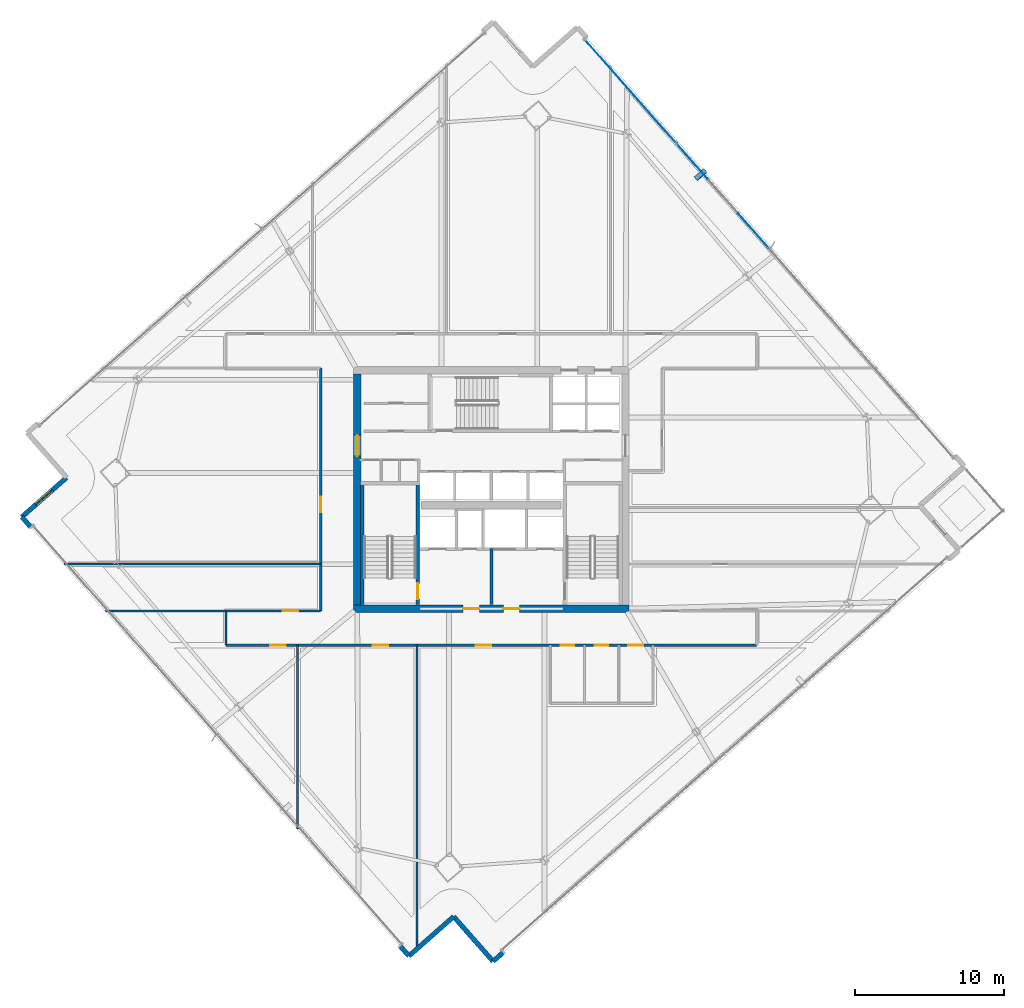
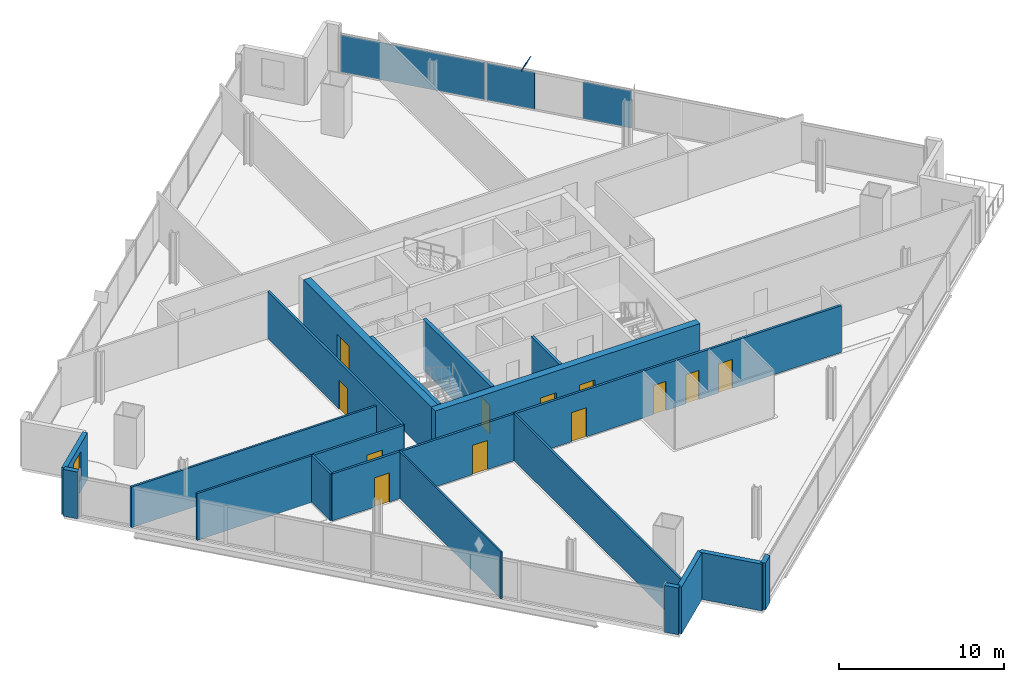
# One storey, part 26 of 34: 19 walls, 12 doors, 4 plates, 1 window, 13 openings, 1 element without a shape of its own.
"""IFC4 building model written with IfcOpenShell, lengths in metres."""

from ifc_helpers import new_model, si_unit, direction, frame, frame_2d, origin, origin_2d, place, context, subcontext, project, spatial, rectangle, extrude, source, transform, mapped, material, layer, layer_set, type_object, element, fill, aggregate, save


model = new_model("IFC4")

# Units and contexts
model_context = context("Model", 3, precision=1e-05, world=origin(), true_north=direction((0.0, 1.0)))
body_context = subcontext(model_context, "Body", "Model", "MODEL_VIEW")
ifc_project = project(units=[si_unit("LENGTHUNIT", "METRE"), si_unit("AREAUNIT", "SQUARE_METRE"), si_unit("VOLUMEUNIT", "CUBIC_METRE"), si_unit("PLANEANGLEUNIT", "RADIAN"), si_unit("MASSUNIT", "GRAM", prefix="KILO")], contexts=[model_context])

# Site, building, storey
site_placement = place(None, origin())
site = spatial("IfcSite", under=ifc_project, at=site_placement, CompositionType="ELEMENT")
building_placement = place(site_placement, origin())
building = spatial("IfcBuilding", under=site, at=building_placement, Name="Haldenkirk Collegiate Tower", CompositionType="ELEMENT")
storey_placement = place(building_placement, frame((0.0, 0.0, 166.949951171875)))
storey = spatial("IfcBuildingStorey", under=building, at=storey_placement, Name="L41", CompositionType="ELEMENT", Elevation=166.949951171875)

# Plate
ifc_material_1 = material(Name="Steel ASTM A572 Grade 50", Category="steel")
ifc_layer_1 = layer(ifc_material_1, 0.034912109375)
ifc_layer_set_1 = layer_set([ifc_layer_1], Name="Steel ASTM A572 Grade 50")
plate_type_1 = type_object("IfcPlateType", Name="PLT-CAP-EXT-760X600", PredefinedType="USERDEFINED", material=ifc_layer_set_1)
shared_shape_1 = source(origin(), body_context, "Body", "SweptSolid", [
    extrude(rectangle(XDim=0.860107421875, YDim=0.659912109375, at=origin_2d()), origin(), (0.0, 0.0, 1.0), 0.034912109375),
])
plate_1_placement = place(storey_placement, frame((50.0498046875, 47.11669921875, 3.448486328125), z_axis=(-0.580432993304, 0.663743992342, 0.471742994558), x_axis=(-0.752769525928, -0.658284164199, -2.33095e-07)))
element("IfcPlate", 1, at=plate_1_placement, inside=storey, type_object=plate_type_1, Name="Perimeter Mega Brace Z3 L39-L41 EL end cap plate 2", ObjectType="END CAP PLATE", PredefinedType="USERDEFINED", context=body_context, shape_type="MappedRepresentation", body=[
    mapped(shared_shape_1, transform((0.0, 0.0, 0.0), x_axis=(1.0, 0.0, 0.0), y_axis=(0.0, 1.0, 0.0), z_axis=(0.0, 0.0, 1.0), scale=1.0)),
])

# Curtain wall, plates
ifc_material_2 = material(Name="Anodised architectural bronze aluminium", Category="aluminium")
curtain_wall_type = type_object("IfcCurtainWallType", Name="CW-SYS1-CONVEX-LOW", PredefinedType="USERDEFINED", material=ifc_material_2)
curtain_wall_placement = place(storey_placement, origin())
curtain_wall = element("IfcCurtainWall", 2, at=curtain_wall_placement, inside=storey, type_object=curtain_wall_type, Name="L41 Lower tower convex bronze-framed unitised curtain wall", ObjectType="UNITISED CURTAIN WALL", PredefinedType="USERDEFINED")
ifc_material_3 = material(Name="Low-E argon triple insulating glass", Category="glass")
ifc_layer_2 = layer(ifc_material_3, 0.0439453125)
ifc_layer_set_2 = layer_set([ifc_layer_2], Name="Low-E argon triple insulating glass")
plate_type_2 = type_object("IfcPlateType", Name="CW-PNL-1A", PredefinedType="CURTAIN_PANEL", material=ifc_layer_set_2)
shared_shape_2 = source(origin(), body_context, "Body", "SweptSolid", [
    extrude(rectangle(XDim=9.248779296875, YDim=0.0439453125, at=origin_2d()), origin(), (0.0, 0.0, 1.0), 2.7509765625),
])
plate_2_placement = place(storey_placement, frame((45.348876953125, 52.700439453125, 0.080078125), z_axis=(0.0, 0.0, 1.0), x_axis=(0.66131127315, -0.750111591701, 0.0)))
plate_2 = element("IfcPlate", 3, at=plate_2_placement, type_object=plate_type_2, Name="CW-1A panel 1.1", PredefinedType="CURTAIN_PANEL", context=body_context, shape_type="MappedRepresentation", body=[
    mapped(shared_shape_2, transform((0.0, 0.0, 0.0), x_axis=(1.0, 0.0, 0.0), y_axis=(0.0, 1.0, 0.0), z_axis=(0.0, 0.0, 1.0), scale=1.0)),
])
ifc_material_4 = material(Name="Bronze-anodised insulated aluminium spandrel panel", Category="aluminium")
ifc_layer_3 = layer(ifc_material_4, 0.0439453125)
ifc_layer_set_3 = layer_set([ifc_layer_3], Name="Bronze-anodised insulated aluminium spandrel panel")
plate_type_3 = type_object("IfcPlateType", Name="CW-SPD-1A", PredefinedType="CURTAIN_PANEL", material=ifc_layer_set_3)
shared_shape_3 = source(origin(), body_context, "Body", "SweptSolid", [
    extrude(rectangle(XDim=3.083740234375, YDim=0.0439453125, at=origin_2d()), origin(), (0.0, 0.0, 1.0), 2.7509765625),
])
plate_3_placement = place(storey_placement, frame((49.479736328125, 48.014892578125, 0.080078125), z_axis=(0.0, 0.0, 1.0), x_axis=(0.66131127315, -0.750111591701, 0.0)))
plate_3 = element("IfcPlate", 4, at=plate_3_placement, type_object=plate_type_3, Name="CW-1A spandrel panel 2.1a", PredefinedType="CURTAIN_PANEL", context=body_context, shape_type="MappedRepresentation", body=[
    mapped(shared_shape_3, transform((0.0, 0.0, 0.0), x_axis=(1.0, 0.0, 0.0), y_axis=(0.0, 1.0, 0.0), z_axis=(0.0, 0.0, 1.0), scale=1.0)),
])
plate_4_placement = place(storey_placement, frame((53.5830078125, 43.360595703125, 0.080078125), z_axis=(0.0, 0.0, 1.0), x_axis=(0.66131127315, -0.750111591701, 0.0)))
plate_4 = element("IfcPlate", 5, at=plate_4_placement, type_object=plate_type_3, Name="CW-1A spandrel panel 2.1c", PredefinedType="CURTAIN_PANEL", context=body_context, shape_type="MappedRepresentation", body=[
    mapped(shared_shape_3, transform((0.0, 0.0, 0.0), x_axis=(1.0, 0.0, 0.0), y_axis=(0.0, 1.0, 0.0), z_axis=(0.0, 0.0, 1.0), scale=1.0)),
])
aggregate(curtain_wall, [plate_2, plate_3, plate_4])

# Wall, openings, doors
ifc_material_5 = material(Name="Concrete f'c 55 MPa", Category="concrete")
ifc_layer_4 = layer(ifc_material_5, 0.5)
ifc_layer_set_4 = layer_set([ifc_layer_4], Name="Concrete f'c 55 MPa")
wall_type_1 = type_object("IfcWallType", Name="WL-CORE-500", PredefinedType="SHEAR", material=ifc_layer_set_4)
wall_1_placement = place(storey_placement, frame((26.75, 18.0, 0.0), z_axis=(0.0, 0.0, 1.0), x_axis=(1.0, 0.0, 0.0)))
wall_1 = element("IfcWall", 6, at=wall_1_placement, inside=storey, type_object=wall_type_1, Name="L41 central core shear wall S", PredefinedType="SHEAR", context=body_context, shape_type="SweptSolid", body=[
    extrude(rectangle(XDim=18.5, YDim=0.5, at=frame_2d((9.25, 0.0))), origin(), (0.0, 0.0, 1.0), 3.75),
])
opening_1_placement = place(wall_1_placement, frame((7.35009765625, 0.0, 0.0)))
opening_1 = element("IfcOpeningElement", 7, at=opening_1_placement, cuts=wall_1, Name="Opening D-02", PredefinedType="OPENING", context=body_context, shape_type="SweptSolid", body=[
    extrude(rectangle(XDim=1.10009765625, YDim=2.14990234375, at=frame_2d((0.550048828125, 1.074951171875))), frame((0.0, 0.260009765625, 0.0), z_axis=(0.0, -1.0, 0.0), x_axis=(1.0, 0.0, 0.0)), (0.0, 0.0, 1.0), 0.52001953125),
])
opening_2_placement = place(wall_1_placement, frame((10.050048828125, 0.0, 0.0)))
opening_2 = element("IfcOpeningElement", 8, at=opening_2_placement, cuts=wall_1, Name="Opening D-02", PredefinedType="OPENING", context=body_context, shape_type="SweptSolid", body=[
    extrude(rectangle(XDim=1.10009765625, YDim=2.14990234375, at=frame_2d((0.550048828125, 1.074951171875))), frame((0.0, 0.260009765625, 0.0), z_axis=(0.0, -1.0, 0.0), x_axis=(1.0, 0.0, 0.0)), (0.0, 0.0, 1.0), 0.52001953125),
])
ifc_material_6 = material(Name="Galvanized fire-rated hollow steel door", Category="steel")
ifc_layer_5 = layer(ifc_material_6, 0.06005859375)
ifc_layer_set_5 = layer_set([ifc_layer_5], Name="Galvanized fire-rated hollow steel door")
door_type_1 = type_object("IfcDoorType", Name="DR-STAIR-FD90-1100", OperationType="NOTDEFINED", PredefinedType="DOOR", material=ifc_layer_set_5)
door_1_placement = place(opening_1_placement, origin())
door_1 = element("IfcDoor", 9, at=door_1_placement, inside=storey, type_object=door_type_1, Name="L41 Firefighting Lobby 1 door", OperationType="SINGLE_SWING_RIGHT", OverallHeight=2.14990234375, OverallWidth=1.10009765625, PredefinedType="DOOR", context=body_context, shape_type="SweptSolid", body=[
    extrude(rectangle(XDim=1.10009765625, YDim=2.14990234375, at=frame_2d((0.550048828125, 1.074951171875))), frame((0.0, 0.02490234375, 0.0), z_axis=(0.0, -1.0, 0.0), x_axis=(1.0, 0.0, 0.0)), (0.0, 0.0, 1.0), 0.050048828125),
])
fill(opening_1, door_1)
door_2_placement = place(opening_2_placement, origin())
door_2 = element("IfcDoor", 10, at=door_2_placement, inside=storey, type_object=door_type_1, Name="L41 Firefighting Lobby 2 door", OperationType="SINGLE_SWING_LEFT", OverallHeight=2.14990234375, OverallWidth=1.10009765625, PredefinedType="DOOR", context=body_context, shape_type="SweptSolid", body=[
    extrude(rectangle(XDim=1.10009765625, YDim=2.14990234375, at=frame_2d((0.550048828125, 1.074951171875))), frame((0.0, 0.02490234375, 0.0), z_axis=(0.0, -1.0, 0.0), x_axis=(1.0, 0.0, 0.0)), (0.0, 0.0, 1.0), 0.050048828125),
])
fill(opening_2, door_2)

# Wall, opening, door
wall_2_placement = place(storey_placement, frame((27.0, 18.25, 0.0), z_axis=(0.0, 0.0, 1.0), x_axis=(0.0, 1.0, 0.0)))
wall_2 = element("IfcWall", 11, at=wall_2_placement, inside=storey, type_object=wall_type_1, Name="L41 central core shear wall W", PredefinedType="SHEAR", context=body_context, shape_type="SweptSolid", body=[
    extrude(rectangle(XDim=15.5, YDim=0.5, at=frame_2d((7.75, 0.0))), origin(), (0.0, 0.0, 1.0), 3.75),
])
opening_3_placement = place(wall_2_placement, frame((9.989990234375, 0.0, 0.0)))
opening_3 = element("IfcOpeningElement", 12, at=opening_3_placement, cuts=wall_2, Name="Opening D-03", PredefinedType="OPENING", context=body_context, shape_type="SweptSolid", body=[
    extrude(rectangle(XDim=1.39990234375, YDim=2.199951171875, at=frame_2d((0.699951171875, 1.10009765625))), frame((0.0, 0.260009765625, 0.0), z_axis=(0.0, -1.0, 0.0), x_axis=(1.0, 0.0, 0.0)), (0.0, 0.0, 1.0), 0.52001953125),
])
ifc_layer_6 = layer(ifc_material_6, 0.06005859375)
ifc_layer_set_6 = layer_set([ifc_layer_6], Name="Galvanized fire-rated hollow steel door")
door_type_2 = type_object("IfcDoorType", Name="DR-LOBBY-FD90-1400", OperationType="NOTDEFINED", PredefinedType="DOOR", material=ifc_layer_set_6)
door_3_placement = place(opening_3_placement, origin())
door_3 = element("IfcDoor", 13, at=door_3_placement, inside=storey, type_object=door_type_2, Name="L41 west lift lobby portal", OperationType="DOUBLE_DOOR_SINGLE_SWING", OverallHeight=2.199951171875, OverallWidth=1.39990234375, PredefinedType="DOOR", context=body_context, shape_type="SweptSolid", body=[
    extrude(rectangle(XDim=1.39990234375, YDim=2.199951171875, at=frame_2d((0.699951171875, 1.10009765625))), frame((0.0, 0.02490234375, 0.0), z_axis=(0.0, -1.0, 0.0), x_axis=(1.0, 0.0, 0.0)), (0.0, 0.0, 1.0), 0.050048828125),
])
fill(opening_3, door_3)

# Wall
ifc_material_7 = material(Name="Precast concrete f'c 40 MPa", Category="concrete")
ifc_layer_7 = layer(ifc_material_7, 0.320068359375)
ifc_layer_set_7 = layer_set([ifc_layer_7], Name="Precast concrete f'c 40 MPa")
wall_type_2 = type_object("IfcWallType", Name="WL-EXT-TWR-320", PredefinedType="STANDARD", material=ifc_layer_set_7)
wall_3_placement = place(storey_placement, frame((36.791015625, -5.064453125, 0.0), z_axis=(0.0, 0.0, 1.0), x_axis=(-0.750067388761, -0.661361408246, 0.0)))
element("IfcWall", 14, at=wall_3_placement, inside=storey, type_object=wall_type_2, Name="L41 precast corner pier SR", PredefinedType="STANDARD", context=body_context, shape_type="SweptSolid", body=[
    extrude(rectangle(XDim=0.89990234375, YDim=0.320068359375, at=frame_2d((0.449951171875, 0.0))), origin(), (0.0, 0.0, 1.0), 3.4599609375),
])

# Wall, opening, window
wall_4_placement = place(storey_placement, frame((4.497314453125, 24.156005859375, 0.0), z_axis=(0.0, 0.0, 1.0), x_axis=(0.750113870214, 0.661308688671, 0.0)))
wall_4 = element("IfcWall", 15, at=wall_4_placement, inside=storey, type_object=wall_type_2, Name="L41 bronze precast notch wall 09", PredefinedType="STANDARD", context=body_context, shape_type="SweptSolid", body=[
    extrude(rectangle(XDim=4.0, YDim=0.320068359375, at=frame_2d((2.0, 0.0))), origin(), (0.0, 0.0, 1.0), 3.4599609375),
])
opening_4_placement = place(wall_4_placement, frame((1.27490234375, 0.0, 0.85009765625)))
opening_4 = element("IfcOpeningElement", 16, at=opening_4_placement, cuts=wall_4, Name="Opening W-05", PredefinedType="OPENING", context=body_context, shape_type="SweptSolid", body=[
    extrude(rectangle(XDim=1.449951171875, YDim=2.050048828125, at=frame_2d((0.72509765625, 1.02490234375))), frame((0.0, 0.169921875, 0.0), z_axis=(0.0, -1.0, 0.0), x_axis=(1.0, 0.0, 0.0)), (0.0, 0.0, 1.0), 0.340087890625),
])
ifc_layer_8 = layer(ifc_material_3, 0.090087890625)
ifc_layer_set_8 = layer_set([ifc_layer_8], Name="Low-E argon triple insulating glass")
window_type = type_object("IfcWindowType", Name="WN-Z3-1450X2050", PartitioningType="SINGLE_PANEL", PredefinedType="WINDOW", material=ifc_layer_set_8)
window_placement = place(opening_4_placement, origin())
window = element("IfcWindow", 17, at=window_placement, inside=storey, type_object=window_type, Name="L41 precast-frame academic window 8", OverallHeight=2.050048828125, OverallWidth=1.449951171875, PartitioningType="SINGLE_PANEL", PredefinedType="WINDOW", context=body_context, shape_type="SweptSolid", body=[
    extrude(rectangle(XDim=1.449951171875, YDim=2.050048828125, at=frame_2d((0.72509765625, 1.02490234375))), frame((0.0, 0.030029296875, 0.0), z_axis=(0.0, -1.0, 0.0), x_axis=(1.0, 0.0, 0.0)), (0.0, 0.0, 1.0), 0.06005859375),
])
fill(opening_4, window)

# Walls
wall_5_placement = place(storey_placement, frame((30.47021484375, -5.3046875, 0.0), z_axis=(0.0, 0.0, 1.0), x_axis=(-0.661226856215, 0.750186006681, 0.0)))
element("IfcWall", 18, at=wall_5_placement, inside=storey, type_object=wall_type_2, Name="L41 precast corner pier WL", PredefinedType="STANDARD", context=body_context, shape_type="SweptSolid", body=[
    extrude(rectangle(XDim=0.900146484375, YDim=0.320068359375, at=frame_2d((0.4501953125, 0.0))), origin(), (0.0, 0.0, 1.0), 3.4599609375),
])
wall_6_placement = place(storey_placement, frame((5.09228515625, 23.48095703125, 0.0), z_axis=(0.0, 0.0, 1.0), x_axis=(-0.661208749183, 0.750201966143, 0.0)))
element("IfcWall", 19, at=wall_6_placement, inside=storey, type_object=wall_type_2, Name="L41 precast corner pier WR", PredefinedType="STANDARD", context=body_context, shape_type="SweptSolid", body=[
    extrude(rectangle(XDim=0.89990234375, YDim=0.320068359375, at=frame_2d((0.449951171875, 0.0))), origin(), (0.0, 0.0, 1.0), 3.4599609375),
])
wall_7_placement = place(storey_placement, frame((33.470703125, -2.6591796875, 0.0), z_axis=(0.0, 0.0, 1.0), x_axis=(-0.750083594076, -0.661343028918, 0.0)))
element("IfcWall", 20, at=wall_7_placement, inside=storey, type_object=wall_type_2, Name="L41 bronze precast notch wall 11", PredefinedType="STANDARD", context=body_context, shape_type="SweptSolid", body=[
    extrude(rectangle(XDim=4.000244140625, YDim=0.320068359375, at=frame_2d((2.0, 0.0))), origin(), (0.0, 0.0, 1.0), 3.4599609375),
])
wall_8_placement = place(storey_placement, frame((36.115966796875, -5.65966796875, 0.0), z_axis=(0.0, 0.0, 1.0), x_axis=(-0.661308688671, 0.750113870214, 0.0)))
element("IfcWall", 21, at=wall_8_placement, inside=storey, type_object=wall_type_2, Name="L41 bronze precast notch wall 12", PredefinedType="STANDARD", context=body_context, shape_type="SweptSolid", body=[
    extrude(rectangle(XDim=4.0, YDim=0.320068359375, at=frame_2d((2.0, 0.0))), origin(), (0.0, 0.0, 1.0), 3.4599609375),
])

# Wall, openings, doors
ifc_material_8 = material(Name="Acoustic fire-rated gypsum partition", Category="concrete")
ifc_layer_9 = layer(ifc_material_8, 0.159912109375)
ifc_layer_set_9 = layer_set([ifc_layer_9], Name="Acoustic fire-rated gypsum partition")
wall_type_3 = type_object("IfcWallType", Name="WL-INT-CORR-160", PredefinedType="PARTITIONING", material=ifc_layer_set_9)
wall_9_placement = place(storey_placement, frame((18.199951171875, 15.550048828125, 0.0), z_axis=(0.0, 0.0, 1.0), x_axis=(1.0, 0.0, 0.0)))
wall_9 = element("IfcWall", 22, at=wall_9_placement, inside=storey, type_object=wall_type_3, Name="L41 interior partition IW-L41-CS", PredefinedType="PARTITIONING", context=body_context, shape_type="SweptSolid", body=[
    extrude(rectangle(XDim=35.60009765625, YDim=0.159912109375, at=frame_2d((17.800048828125, 0.0))), origin(), (0.0, 0.0, 1.0), 3.4599609375),
])
opening_5_placement = place(wall_9_placement, frame((22.449951171875, 0.0, 0.0)))
opening_5 = element("IfcOpeningElement", 23, at=opening_5_placement, cuts=wall_9, Name="Opening D-13", PredefinedType="OPENING", context=body_context, shape_type="SweptSolid", body=[
    extrude(rectangle(XDim=0.89990234375, YDim=2.14990234375, at=frame_2d((0.449951171875, 1.074951171875))), frame((0.0, 0.08984375, 0.0), z_axis=(0.0, -1.0, 0.0), x_axis=(1.0, 0.0, 0.0)), (0.0, 0.0, 1.0), 0.179931640625),
])
opening_6_placement = place(wall_9_placement, frame((24.75, 0.0, 0.0)))
opening_6 = element("IfcOpeningElement", 24, at=opening_6_placement, cuts=wall_9, Name="Opening D-13", PredefinedType="OPENING", context=body_context, shape_type="SweptSolid", body=[
    extrude(rectangle(XDim=0.89990234375, YDim=2.14990234375, at=frame_2d((0.449951171875, 1.074951171875))), frame((0.0, 0.08984375, 0.0), z_axis=(0.0, -1.0, 0.0), x_axis=(1.0, 0.0, 0.0)), (0.0, 0.0, 1.0), 0.179931640625),
])
opening_7_placement = place(wall_9_placement, frame((27.0, 0.0, 0.0)))
opening_7 = element("IfcOpeningElement", 25, at=opening_7_placement, cuts=wall_9, Name="Opening D-14", PredefinedType="OPENING", context=body_context, shape_type="SweptSolid", body=[
    extrude(rectangle(XDim=1.0, YDim=2.14990234375, at=frame_2d((0.5, 1.074951171875))), frame((0.0, 0.08984375, 0.0), z_axis=(0.0, -1.0, 0.0), x_axis=(1.0, 0.0, 0.0)), (0.0, 0.0, 1.0), 0.179931640625),
])
opening_8_placement = place(wall_9_placement, frame((2.965087890625, 0.0, 0.0)))
opening_8 = element("IfcOpeningElement", 26, at=opening_8_placement, cuts=wall_9, Name="Opening D-09", PredefinedType="OPENING", context=body_context, shape_type="SweptSolid", body=[
    extrude(rectangle(XDim=1.050048828125, YDim=2.14990234375, at=frame_2d((0.52490234375, 1.074951171875))), frame((0.0, 0.08984375, 0.0), z_axis=(0.0, -1.0, 0.0), x_axis=(1.0, 0.0, 0.0)), (0.0, 0.0, 1.0), 0.179931640625),
])
opening_9_placement = place(wall_9_placement, frame((9.8349609375, 0.0, 0.0)))
opening_9 = element("IfcOpeningElement", 27, at=opening_9_placement, cuts=wall_9, Name="Opening D-09", PredefinedType="OPENING", context=body_context, shape_type="SweptSolid", body=[
    extrude(rectangle(XDim=1.050048828125, YDim=2.14990234375, at=frame_2d((0.52490234375, 1.074951171875))), frame((0.0, 0.08984375, 0.0), z_axis=(0.0, -1.0, 0.0), x_axis=(1.0, 0.0, 0.0)), (0.0, 0.0, 1.0), 0.179931640625),
])
opening_10_placement = place(wall_9_placement, frame((16.739990234375, 0.0, 0.0)))
opening_10 = element("IfcOpeningElement", 28, at=opening_10_placement, cuts=wall_9, Name="Opening D-09", PredefinedType="OPENING", context=body_context, shape_type="SweptSolid", body=[
    extrude(rectangle(XDim=1.050048828125, YDim=2.14990234375, at=frame_2d((0.52490234375, 1.074951171875))), frame((0.0, 0.08984375, 0.0), z_axis=(0.0, -1.0, 0.0), x_axis=(1.0, 0.0, 0.0)), (0.0, 0.0, 1.0), 0.179931640625),
])
ifc_material_9 = material(Name="Solid-core architectural oak fire door", Category="wood")
ifc_layer_10 = layer(ifc_material_9, 0.06005859375)
ifc_layer_set_10 = layer_set([ifc_layer_10], Name="Solid-core architectural oak fire door")
door_type_3 = type_object("IfcDoorType", Name="DR-INT-ACC-1000", OperationType="NOTDEFINED", PredefinedType="DOOR", material=ifc_layer_set_10)
door_4_placement = place(opening_7_placement, origin())
door_4 = element("IfcDoor", 29, at=door_4_placement, inside=storey, type_object=door_type_3, Name="L41 Accessible WC door", OperationType="SINGLE_SWING_LEFT", OverallHeight=2.14990234375, OverallWidth=1.0, PredefinedType="DOOR", context=body_context, shape_type="SweptSolid", body=[
    extrude(rectangle(XDim=1.0, YDim=2.14990234375, at=frame_2d((0.5, 1.074951171875))), frame((0.0, 0.02490234375, 0.0), z_axis=(0.0, -1.0, 0.0), x_axis=(1.0, 0.0, 0.0)), (0.0, 0.0, 1.0), 0.050048828125),
])
fill(opening_7, door_4)
ifc_layer_11 = layer(ifc_material_9, 0.06005859375)
ifc_layer_set_11 = layer_set([ifc_layer_11], Name="Solid-core architectural oak fire door")
door_type_4 = type_object("IfcDoorType", Name="DR-INT-FD60-1050", OperationType="NOTDEFINED", PredefinedType="DOOR", material=ifc_layer_set_11)
door_5_placement = place(opening_8_placement, origin())
door_5 = element("IfcDoor", 30, at=door_5_placement, inside=storey, type_object=door_type_4, Name="L41 Collegiate Commons Lounge 1 door", OperationType="SINGLE_SWING_RIGHT", OverallHeight=2.14990234375, OverallWidth=1.050048828125, PredefinedType="DOOR", context=body_context, shape_type="SweptSolid", body=[
    extrude(rectangle(XDim=1.050048828125, YDim=2.14990234375, at=frame_2d((0.52490234375, 1.074951171875))), frame((0.0, 0.02490234375, 0.0), z_axis=(0.0, -1.0, 0.0), x_axis=(1.0, 0.0, 0.0)), (0.0, 0.0, 1.0), 0.050048828125),
])
fill(opening_8, door_5)
door_6_placement = place(opening_9_placement, origin())
door_6 = element("IfcDoor", 31, at=door_6_placement, inside=storey, type_object=door_type_4, Name="L41 Graduate Study Lounge 2 door", OperationType="SINGLE_SWING_LEFT", OverallHeight=2.14990234375, OverallWidth=1.050048828125, PredefinedType="DOOR", context=body_context, shape_type="SweptSolid", body=[
    extrude(rectangle(XDim=1.050048828125, YDim=2.14990234375, at=frame_2d((0.52490234375, 1.074951171875))), frame((0.0, 0.02490234375, 0.0), z_axis=(0.0, -1.0, 0.0), x_axis=(1.0, 0.0, 0.0)), (0.0, 0.0, 1.0), 0.050048828125),
])
fill(opening_9, door_6)
door_7_placement = place(opening_10_placement, origin())
door_7 = element("IfcDoor", 32, at=door_7_placement, inside=storey, type_object=door_type_4, Name="L41 Faculty Club Lounge 3 door", OperationType="SINGLE_SWING_RIGHT", OverallHeight=2.14990234375, OverallWidth=1.050048828125, PredefinedType="DOOR", context=body_context, shape_type="SweptSolid", body=[
    extrude(rectangle(XDim=1.050048828125, YDim=2.14990234375, at=frame_2d((0.52490234375, 1.074951171875))), frame((0.0, 0.02490234375, 0.0), z_axis=(0.0, -1.0, 0.0), x_axis=(1.0, 0.0, 0.0)), (0.0, 0.0, 1.0), 0.050048828125),
])
fill(opening_10, door_7)
ifc_layer_12 = layer(ifc_material_9, 0.06005859375)
ifc_layer_set_12 = layer_set([ifc_layer_12], Name="Solid-core architectural oak fire door")
door_type_5 = type_object("IfcDoorType", Name="DR-INT-STD-900", OperationType="NOTDEFINED", PredefinedType="DOOR", material=ifc_layer_set_12)
door_8_placement = place(opening_5_placement, origin())
door_8 = element("IfcDoor", 33, at=door_8_placement, inside=storey, type_object=door_type_5, Name="L41 Male WC door", OperationType="SINGLE_SWING_LEFT", OverallHeight=2.14990234375, OverallWidth=0.89990234375, PredefinedType="DOOR", context=body_context, shape_type="SweptSolid", body=[
    extrude(rectangle(XDim=0.89990234375, YDim=2.14990234375, at=frame_2d((0.449951171875, 1.074951171875))), frame((0.0, 0.02490234375, 0.0), z_axis=(0.0, -1.0, 0.0), x_axis=(1.0, 0.0, 0.0)), (0.0, 0.0, 1.0), 0.050048828125),
])
fill(opening_5, door_8)
door_9_placement = place(opening_6_placement, origin())
door_9 = element("IfcDoor", 34, at=door_9_placement, inside=storey, type_object=door_type_5, Name="L41 Female WC door", OperationType="SINGLE_SWING_RIGHT", OverallHeight=2.14990234375, OverallWidth=0.89990234375, PredefinedType="DOOR", context=body_context, shape_type="SweptSolid", body=[
    extrude(rectangle(XDim=0.89990234375, YDim=2.14990234375, at=frame_2d((0.449951171875, 1.074951171875))), frame((0.0, 0.02490234375, 0.0), z_axis=(0.0, -1.0, 0.0), x_axis=(1.0, 0.0, 0.0)), (0.0, 0.0, 1.0), 0.050048828125),
])
fill(opening_6, door_9)

# Wall, opening, door
wall_10_placement = place(storey_placement, frame((18.199951171875, 17.85009765625, 0.0), z_axis=(0.0, 0.0, 1.0), x_axis=(1.0, 0.0, 0.0)))
wall_10 = element("IfcWall", 35, at=wall_10_placement, inside=storey, type_object=wall_type_3, Name="L41 interior partition IW-L41-CSW", PredefinedType="PARTITIONING", context=body_context, shape_type="SweptSolid", body=[
    extrude(rectangle(XDim=6.35009765625, YDim=0.159912109375, at=frame_2d((3.175048828125, 0.0))), origin(), (0.0, 0.0, 1.0), 3.4599609375),
])
opening_11_placement = place(wall_10_placement, frame((3.79296875, 0.0, 0.0)))
opening_11 = element("IfcOpeningElement", 36, at=opening_11_placement, cuts=wall_10, Name="Opening D-09", PredefinedType="OPENING", context=body_context, shape_type="SweptSolid", body=[
    extrude(rectangle(XDim=1.050048828125, YDim=2.14990234375, at=frame_2d((0.52490234375, 1.074951171875))), frame((0.0, 0.08984375, 0.0), z_axis=(0.0, -1.0, 0.0), x_axis=(1.0, 0.0, 0.0)), (0.0, 0.0, 1.0), 0.179931640625),
])
door_10_placement = place(opening_11_placement, origin())
door_10 = element("IfcDoor", 37, at=door_10_placement, inside=storey, type_object=door_type_4, Name="L41 Graduate Study Lounge 8 door", OperationType="SINGLE_SWING_LEFT", OverallHeight=2.14990234375, OverallWidth=1.050048828125, PredefinedType="DOOR", context=body_context, shape_type="SweptSolid", body=[
    extrude(rectangle(XDim=1.050048828125, YDim=2.14990234375, at=frame_2d((0.52490234375, 1.074951171875))), frame((0.0, 0.02490234375, 0.0), z_axis=(0.0, -1.0, 0.0), x_axis=(1.0, 0.0, 0.0)), (0.0, 0.0, 1.0), 0.050048828125),
])
fill(opening_11, door_10)

wall_11_placement = place(storey_placement, frame((24.550048828125, 17.85009765625, 0.0), z_axis=(0.0, 0.0, 1.0), x_axis=(0.0, 1.0, 0.0)))
wall_11 = element("IfcWall", 38, at=wall_11_placement, inside=storey, type_object=wall_type_3, Name="L41 interior partition IW-L41-CW", PredefinedType="PARTITIONING", context=body_context, shape_type="SweptSolid", body=[
    extrude(rectangle(XDim=16.2998046875, YDim=0.159912109375, at=frame_2d((8.14990234375, 0.0))), origin(), (0.0, 0.0, 1.0), 3.4599609375),
])
opening_12_placement = place(wall_11_placement, frame((6.60693359375, 0.0, 0.0)))
opening_12 = element("IfcOpeningElement", 39, at=opening_12_placement, cuts=wall_11, Name="Opening D-09", PredefinedType="OPENING", context=body_context, shape_type="SweptSolid", body=[
    extrude(rectangle(XDim=1.050048828125, YDim=2.14990234375, at=frame_2d((0.52490234375, 1.074951171875))), frame((0.0, 0.08984375, 0.0), z_axis=(0.0, -1.0, 0.0), x_axis=(1.0, 0.0, 0.0)), (0.0, 0.0, 1.0), 0.179931640625),
])
door_11_placement = place(opening_12_placement, origin())
door_11 = element("IfcDoor", 40, at=door_11_placement, inside=storey, type_object=door_type_4, Name="L41 Faculty Club Lounge 9 door", OperationType="SINGLE_SWING_RIGHT", OverallHeight=2.14990234375, OverallWidth=1.050048828125, PredefinedType="DOOR", context=body_context, shape_type="SweptSolid", body=[
    extrude(rectangle(XDim=1.050048828125, YDim=2.14990234375, at=frame_2d((0.52490234375, 1.074951171875))), frame((0.0, 0.02490234375, 0.0), z_axis=(0.0, -1.0, 0.0), x_axis=(1.0, 0.0, 0.0)), (0.0, 0.0, 1.0), 0.050048828125),
])
fill(opening_12, door_11)

# Walls
wall_12_placement = place(storey_placement, frame((18.199951171875, 15.550048828125, 0.0), z_axis=(0.0, 0.0, 1.0), x_axis=(0.0, 1.0, 0.0)))
element("IfcWall", 41, at=wall_12_placement, inside=storey, type_object=wall_type_3, Name="L41 interior partition IW-L41-CSL", PredefinedType="PARTITIONING", context=body_context, shape_type="SweptSolid", body=[
    extrude(rectangle(XDim=2.300048828125, YDim=0.159912109375, at=frame_2d((1.14990234375, 0.0))), origin(), (0.0, 0.0, 1.0), 3.4599609375),
])
ifc_layer_13 = layer(ifc_material_8, 0.139892578125)
ifc_layer_set_13 = layer_set([ifc_layer_13], Name="Acoustic fire-rated gypsum partition")
wall_type_4 = type_object("IfcWallType", Name="WL-INT-DIV-140", PredefinedType="PARTITIONING", material=ifc_layer_set_13)
wall_13_placement = place(storey_placement, frame((10.110107421875, 17.85009765625, 0.0), z_axis=(0.0, 0.0, 1.0), x_axis=(1.0, 0.0, 0.0)))
element("IfcWall", 42, at=wall_13_placement, inside=storey, type_object=wall_type_4, Name="L41 interior partition IW-L41-BWS", PredefinedType="PARTITIONING", context=body_context, shape_type="SweptSolid", body=[
    extrude(rectangle(XDim=8.08984375, YDim=0.139892578125, at=frame_2d((4.044921875, 0.0))), origin(), (0.0, 0.0, 1.0), 3.4599609375),
])
wall_14_placement = place(storey_placement, frame((31.0, -4.7841796875, 0.0), z_axis=(0.0, 0.0, 1.0), x_axis=(0.0, 1.0, 0.0)))
element("IfcWall", 43, at=wall_14_placement, inside=storey, type_object=wall_type_4, Name="L41 interior partition IW-L41-RS2", PredefinedType="PARTITIONING", context=body_context, shape_type="SweptSolid", body=[
    extrude(rectangle(XDim=20.334228515625, YDim=0.139892578125, at=frame_2d((10.1669921875, 0.0))), origin(), (0.0, 0.0, 1.0), 3.4599609375),
])
wall_15_placement = place(storey_placement, frame((7.3330078125, 21.0, 0.0), z_axis=(0.0, 0.0, 1.0), x_axis=(1.0, 0.0, 0.0)))
element("IfcWall", 44, at=wall_15_placement, inside=storey, type_object=wall_type_4, Name="L41 interior partition IW-L41-RW1", PredefinedType="PARTITIONING", context=body_context, shape_type="SweptSolid", body=[
    extrude(rectangle(XDim=17.217041015625, YDim=0.139892578125, at=frame_2d((8.6083984375, 0.0))), origin(), (0.0, 0.0, 1.0), 2.998046875),
])
ifc_material_10 = material(Name="Fire-rated gypsum shaftboard assembly", Category="concrete")
ifc_layer_14 = layer(ifc_material_10, 0.199951171875)
ifc_layer_set_14 = layer_set([ifc_layer_14], Name="Fire-rated gypsum shaftboard assembly")
wall_type_5 = type_object("IfcWallType", Name="WL-INT-SHAFT-200", PredefinedType="PARTITIONING", material=ifc_layer_set_14)
wall_16_placement = place(storey_placement, frame((36.0, 18.280029296875, 0.0), z_axis=(0.0, 0.0, 1.0), x_axis=(0.0, 1.0, 0.0)))
element("IfcWall", 45, at=wall_16_placement, inside=storey, type_object=wall_type_5, Name="L41 interior partition IW-L41-FFLM", PredefinedType="PARTITIONING", context=body_context, shape_type="SweptSolid", body=[
    extrude(rectangle(XDim=3.77001953125, YDim=0.199951171875, at=frame_2d((1.885009765625, 0.0))), origin(), (0.0, 0.0, 1.0), 3.4599609375),
])
ifc_layer_15 = layer(ifc_material_8, 0.1201171875)
ifc_layer_set_15 = layer_set([ifc_layer_15], Name="Acoustic fire-rated gypsum partition")
wall_type_6 = type_object("IfcWallType", Name="WL-INT-WET-120", PredefinedType="PARTITIONING", material=ifc_layer_set_15)
wall_17_placement = place(storey_placement, frame((23.0, 3.229248046875, 0.0), z_axis=(0.0, 0.0, 1.0), x_axis=(0.0, 1.0, 0.0)))
element("IfcWall", 46, at=wall_17_placement, inside=storey, type_object=wall_type_6, Name="L41 interior partition IW-L41-RS1", PredefinedType="PARTITIONING", context=body_context, shape_type="SweptSolid", body=[
    extrude(rectangle(XDim=12.32080078125, YDim=0.1201171875, at=frame_2d((6.160400390625, 0.0))), origin(), (0.0, 0.0, 1.0), 3.4599609375),
])

# Wall, opening, door
ifc_layer_16 = layer(ifc_material_5, 0.239990234375)
ifc_layer_set_16 = layer_set([ifc_layer_16], Name="Concrete f'c 55 MPa")
wall_type_7 = type_object("IfcWallType", Name="WL-SHAFT-240", PredefinedType="SHEAR", material=ifc_layer_set_16)
wall_18_placement = place(storey_placement, frame((31.070068359375, 18.280029296875, 0.0), z_axis=(0.0, 0.0, 1.0), x_axis=(0.0, 1.0, 0.0)))
wall_18 = element("IfcWall", 47, at=wall_18_placement, inside=storey, type_object=wall_type_7, Name="L41 stair shaft shear wall SW-L41-ST1E", PredefinedType="SHEAR", context=body_context, shape_type="SweptSolid", body=[
    extrude(rectangle(XDim=8.260009765625, YDim=0.239990234375, at=frame_2d((4.1298828125, 0.0))), origin(), (0.0, 0.0, 1.0), 3.75),
])
opening_13_placement = place(wall_18_placement, frame((0.364990234375, 0.0, 0.0)))
opening_13 = element("IfcOpeningElement", 48, at=opening_13_placement, cuts=wall_18, Name="Opening D-01", PredefinedType="OPENING", context=body_context, shape_type="SweptSolid", body=[
    extrude(rectangle(XDim=1.050048828125, YDim=2.14990234375, at=frame_2d((0.52490234375, 1.074951171875))), frame((0.0, 0.1298828125, 0.0), z_axis=(0.0, -1.0, 0.0), x_axis=(1.0, 0.0, 0.0)), (0.0, 0.0, 1.0), 0.260009765625),
])
ifc_layer_17 = layer(ifc_material_6, 0.06005859375)
ifc_layer_set_17 = layer_set([ifc_layer_17], Name="Galvanized fire-rated hollow steel door")
door_type_6 = type_object("IfcDoorType", Name="DR-STAIR-FD90-1050", OperationType="NOTDEFINED", PredefinedType="DOOR", material=ifc_layer_set_17)
door_12_placement = place(opening_13_placement, origin())
door_12 = element("IfcDoor", 49, at=door_12_placement, inside=storey, type_object=door_type_6, Name="L41 Stair 1 door", OperationType="SINGLE_SWING_LEFT", OverallHeight=2.14990234375, OverallWidth=1.050048828125, PredefinedType="DOOR", context=body_context, shape_type="SweptSolid", body=[
    extrude(rectangle(XDim=1.050048828125, YDim=2.14990234375, at=frame_2d((0.52490234375, 1.074951171875))), frame((0.0, 0.02490234375, 0.0), z_axis=(0.0, -1.0, 0.0), x_axis=(1.0, 0.0, 0.0)), (0.0, 0.0, 1.0), 0.050048828125),
])
fill(opening_13, door_12)

# Wall
wall_19_placement = place(storey_placement, frame((27.330078125, 18.280029296875, 0.0), z_axis=(0.0, 0.0, 1.0), x_axis=(0.0, 1.0, 0.0)))
element("IfcWall", 50, at=wall_19_placement, inside=storey, type_object=wall_type_7, Name="L41 stair shaft shear wall SW-L41-ST1W", PredefinedType="SHEAR", context=body_context, shape_type="SweptSolid", body=[
    extrude(rectangle(XDim=8.260009765625, YDim=0.239990234375, at=frame_2d((4.1298828125, 0.0))), origin(), (0.0, 0.0, 1.0), 3.75),
])

save(model, "model.ifc")
